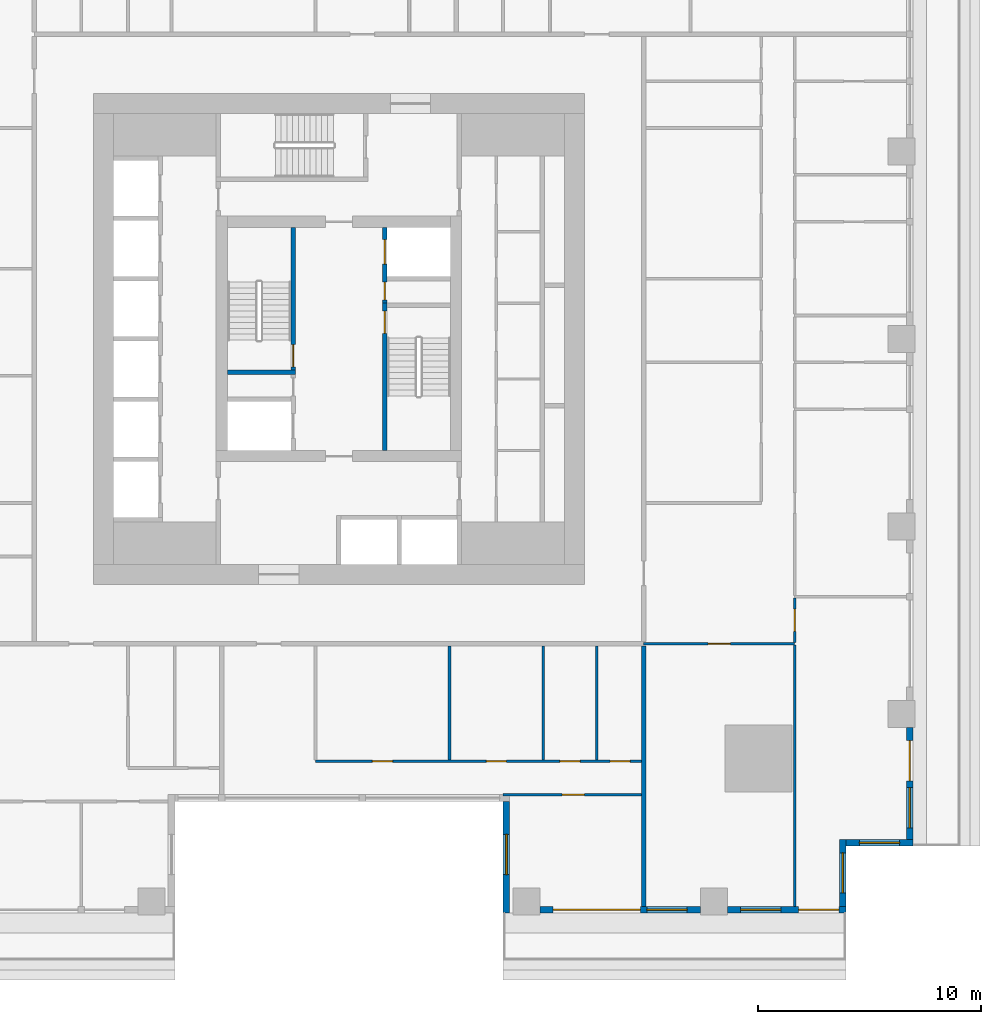
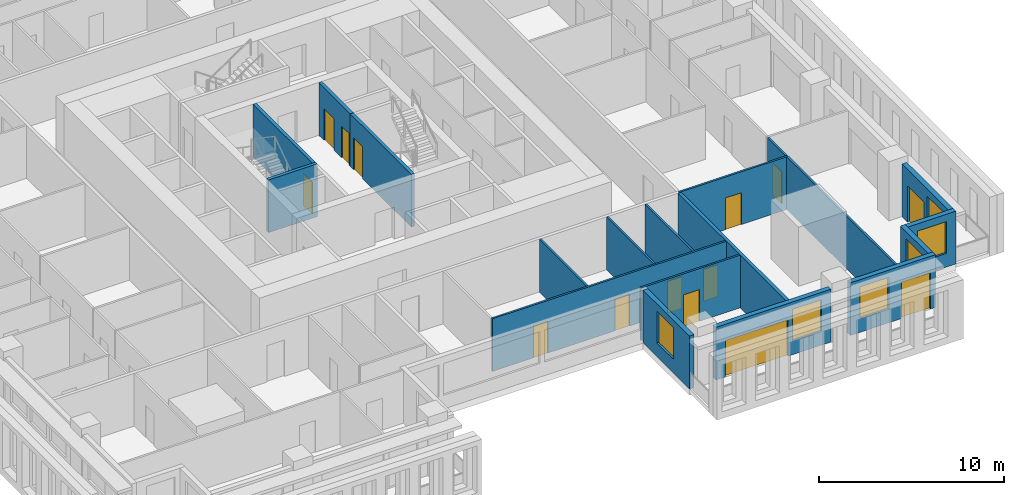
# One storey, part 4 of 15: 19 walls, 14 doors, 6 windows, 20 openings.
"""IFC4 building model written with IfcOpenShell, lengths in metres."""

from ifc_helpers import new_model, si_unit, direction, frame, frame_2d, origin, place, context, subcontext, project, spatial, rectangle, extrude, material, layer, layer_set, type_object, element, fill, save


model = new_model("IFC4")

# Units and contexts
model_context = context("Model", 3, precision=1e-05, world=origin(), true_north=direction((0.0, 1.0)))
body_context = subcontext(model_context, "Body", "Model", "MODEL_VIEW")
ifc_project = project(units=[si_unit("LENGTHUNIT", "METRE"), si_unit("AREAUNIT", "SQUARE_METRE"), si_unit("VOLUMEUNIT", "CUBIC_METRE"), si_unit("PLANEANGLEUNIT", "RADIAN"), si_unit("MASSUNIT", "GRAM", prefix="KILO")], contexts=[model_context])

# Site, building, storey
site_placement = place(None, origin())
site = spatial("IfcSite", under=ifc_project, at=site_placement, CompositionType="ELEMENT")
building_placement = place(site_placement, origin())
building = spatial("IfcBuilding", under=site, at=building_placement, Name="Khepri Terraces", CompositionType="ELEMENT")
storey_placement = place(building_placement, frame((0.0, 0.0, 46.5)))
storey = spatial("IfcBuildingStorey", under=building, at=storey_placement, Name="L10", CompositionType="ELEMENT", Elevation=46.5)

# Wall, opening, door
ifc_material_1 = material(Name="Concrete C80/95", Category="concrete")
ifc_layer_1 = layer(ifc_material_1, 0.199951171875, Name="Concrete C80/95", Category="concrete")
ifc_layer_set_1 = layer_set([ifc_layer_1], Name="Concrete C80/95")
wall_type_1 = type_object("IfcWallType", Name="Core wall 200 C80/95", PredefinedType="SHEAR", material=ifc_layer_set_1)
wall_1_placement = place(storey_placement, frame((2.050048828125, -5.0, 0.0), z_axis=(0.0, 0.0, 1.0), x_axis=(0.0, 1.0, 0.0)))
wall_1 = element("IfcWall", 1, at=wall_1_placement, inside=storey, type_object=wall_type_1, Name="Core wall ST01 L10", PredefinedType="SHEAR", context=body_context, shape_type="SweptSolid", body=[
    extrude(rectangle(XDim=6.60009765625, YDim=0.199951171875, at=frame_2d((3.300048828125, 0.0))), origin(), (0.0, 0.0, 1.0), 3.47998046875),
])
opening_1_placement = place(wall_1_placement, frame((5.25, 0.0, 0.0)))
opening_1 = element("IfcOpeningElement", 2, at=opening_1_placement, cuts=wall_1, Name="Opening L10-C10", PredefinedType="OPENING", context=body_context, shape_type="SweptSolid", body=[
    extrude(rectangle(XDim=1.0, YDim=2.10009765625, at=frame_2d((0.5, 1.050048828125))), frame((0.0, 0.10986328125, 0.0), z_axis=(0.0, -1.0, 0.0), x_axis=(1.0, 0.0, 0.0)), (0.0, 0.0, 1.0), 0.219970703125),
])
ifc_material_2 = material(Name="Painted steel", Category="steel")
door_type_1 = type_object("IfcDoorType", Name="DR-CORE-STAIR-1000", OperationType="NOTDEFINED", PredefinedType="DOOR", material=ifc_material_2)
door_1_placement = place(opening_1_placement, frame((1.0, 0.0, 0.0), z_axis=(0.0, 0.0, 1.0), x_axis=(-1.0, 0.0, 0.0)))
door_1 = element("IfcDoor", 3, at=door_1_placement, inside=storey, type_object=door_type_1, Name="Stair door L10-C10", OperationType="SINGLE_SWING_LEFT", OverallHeight=2.10009765625, OverallWidth=1.0, PredefinedType="DOOR", context=body_context, shape_type="SweptSolid", body=[
    extrude(rectangle(XDim=1.0, YDim=2.10009765625, at=frame_2d((0.5, 1.050048828125))), frame((0.0, 0.02490234375, 0.0), z_axis=(0.0, -1.0, 0.0), x_axis=(1.0, 0.0, 0.0)), (0.0, 0.0, 1.0), 0.050048828125),
])
fill(opening_1, door_1)

# Wall
wall_2_placement = place(storey_placement, frame((-5.0, -1.5, 0.0), z_axis=(0.0, 0.0, 1.0), x_axis=(1.0, 0.0, 0.0)))
element("IfcWall", 4, at=wall_2_placement, inside=storey, type_object=wall_type_1, Name="Core wall ST02 L10", PredefinedType="SHEAR", context=body_context, shape_type="SweptSolid", body=[
    extrude(rectangle(XDim=3.050048828125, YDim=0.199951171875, at=frame_2d((1.52490234375, 0.0))), origin(), (0.0, 0.0, 1.0), 3.47998046875),
])

# Wall, opening, door
wall_3_placement = place(storey_placement, frame((-2.050048828125, -1.39990234375, 0.0), z_axis=(0.0, 0.0, 1.0), x_axis=(0.0, 1.0, 0.0)))
wall_3 = element("IfcWall", 5, at=wall_3_placement, inside=storey, type_object=wall_type_1, Name="Core wall ST03 L10", PredefinedType="SHEAR", context=body_context, shape_type="SweptSolid", body=[
    extrude(rectangle(XDim=6.39990234375, YDim=0.199951171875, at=frame_2d((3.199951171875, 0.0))), origin(), (0.0, 0.0, 1.0), 3.47998046875),
])
opening_2_placement = place(wall_3_placement, frame((0.14990234375, 0.0, 0.0)))
opening_2 = element("IfcOpeningElement", 6, at=opening_2_placement, cuts=wall_3, Name="Opening L10-C09", PredefinedType="OPENING", context=body_context, shape_type="SweptSolid", body=[
    extrude(rectangle(XDim=1.0, YDim=2.10009765625, at=frame_2d((0.5, 1.050048828125))), frame((0.0, 0.10986328125, 0.0), z_axis=(0.0, -1.0, 0.0), x_axis=(1.0, 0.0, 0.0)), (0.0, 0.0, 1.0), 0.219970703125),
])
door_2_placement = place(opening_2_placement, origin())
door_2 = element("IfcDoor", 7, at=door_2_placement, inside=storey, type_object=door_type_1, Name="Stair door L10-C09", OperationType="SINGLE_SWING_LEFT", OverallHeight=2.10009765625, OverallWidth=1.0, PredefinedType="DOOR", context=body_context, shape_type="SweptSolid", body=[
    extrude(rectangle(XDim=1.0, YDim=2.10009765625, at=frame_2d((0.5, 1.050048828125))), frame((0.0, 0.02490234375, 0.0), z_axis=(0.0, -1.0, 0.0), x_axis=(1.0, 0.0, 0.0)), (0.0, 0.0, 1.0), 0.050048828125),
])
fill(opening_2, door_2)

# Wall, openings, doors
wall_4_placement = place(storey_placement, frame((2.050048828125, 1.60009765625, 0.0), z_axis=(0.0, 0.0, 1.0), x_axis=(0.0, 1.0, 0.0)))
wall_4 = element("IfcWall", 8, at=wall_4_placement, inside=storey, type_object=wall_type_1, Name="Core wall SH15 L10", PredefinedType="SHEAR", context=body_context, shape_type="SweptSolid", body=[
    extrude(rectangle(XDim=3.39990234375, YDim=0.199951171875, at=frame_2d((1.699951171875, 0.0))), origin(), (0.0, 0.0, 1.0), 3.47998046875),
])
opening_3_placement = place(wall_4_placement, frame((1.75, 0.0, 0.0)))
opening_3 = element("IfcOpeningElement", 9, at=opening_3_placement, cuts=wall_4, Name="Opening L10-C07", PredefinedType="OPENING", context=body_context, shape_type="SweptSolid", body=[
    extrude(rectangle(XDim=1.10009765625, YDim=2.10009765625, at=frame_2d((0.550048828125, 1.050048828125))), frame((0.0, 0.10986328125, 0.0), z_axis=(0.0, -1.0, 0.0), x_axis=(1.0, 0.0, 0.0)), (0.0, 0.0, 1.0), 0.219970703125),
])
opening_4_placement = place(wall_4_placement, frame((0.14990234375, 0.0, 0.0)))
opening_4 = element("IfcOpeningElement", 10, at=opening_4_placement, cuts=wall_4, Name="Opening L10-C11", PredefinedType="OPENING", context=body_context, shape_type="SweptSolid", body=[
    extrude(rectangle(XDim=0.800048828125, YDim=2.10009765625, at=frame_2d((0.39990234375, 1.050048828125))), frame((0.0, 0.10986328125, 0.0), z_axis=(0.0, -1.0, 0.0), x_axis=(1.0, 0.0, 0.0)), (0.0, 0.0, 1.0), 0.219970703125),
])
ifc_material_3 = material(Name="Stainless steel 304", Category="steel")
door_type_2 = type_object("IfcDoorType", Name="DR-CORE-FF-LANDING-1100", OperationType="NOTDEFINED", PredefinedType="DOOR", material=ifc_material_3)
door_3_placement = place(opening_3_placement, origin())
door_3 = element("IfcDoor", 11, at=door_3_placement, inside=storey, type_object=door_type_2, Name="Firefighting lift landing door L10-C07", OperationType="SLIDING_TO_LEFT", OverallHeight=2.10009765625, OverallWidth=1.10009765625, PredefinedType="DOOR", context=body_context, shape_type="SweptSolid", body=[
    extrude(rectangle(XDim=1.10009765625, YDim=2.10009765625, at=frame_2d((0.550048828125, 1.050048828125))), frame((0.0, 0.02490234375, 0.0), z_axis=(0.0, -1.0, 0.0), x_axis=(1.0, 0.0, 0.0)), (0.0, 0.0, 1.0), 0.050048828125),
])
fill(opening_3, door_3)
door_type_3 = type_object("IfcDoorType", Name="DR-CORE-RISER-800", OperationType="NOTDEFINED", PredefinedType="DOOR", material=ifc_material_2)
door_4_placement = place(opening_4_placement, frame((0.800048828125, 0.0, 0.0), z_axis=(0.0, 0.0, 1.0), x_axis=(-1.0, 0.0, 0.0)))
door_4 = element("IfcDoor", 12, at=door_4_placement, inside=storey, type_object=door_type_3, Name="Riser door L10-C11", OperationType="SINGLE_SWING_RIGHT", OverallHeight=2.10009765625, OverallWidth=0.800048828125, PredefinedType="DOOR", context=body_context, shape_type="SweptSolid", body=[
    extrude(rectangle(XDim=0.800048828125, YDim=2.10009765625, at=frame_2d((0.39990234375, 1.050048828125))), frame((0.0, 0.02490234375, 0.0), z_axis=(0.0, -1.0, 0.0), x_axis=(1.0, 0.0, 0.0)), (0.0, 0.0, 1.0), 0.050048828125),
])
fill(opening_4, door_4)

# Wall
ifc_material_4 = material(Name="Fire-rated gypsum plasterboard partition, mineral wool")
ifc_layer_2 = layer(ifc_material_4, 0.199951171875, Name="Fire-rated gypsum plasterboard partition, mineral wool")
ifc_layer_set_2 = layer_set([ifc_layer_2], Name="Fire-rated gypsum plasterboard partition, mineral wool")
wall_type_2 = type_object("IfcWallType", Name="WL-CORR-200", PredefinedType="PARTITIONING", material=ifc_layer_set_2)
wall_5_placement = place(storey_placement, frame((13.64990234375, -25.419921875, 0.0), z_axis=(0.0, 0.0, 1.0), x_axis=(0.0, 1.0, 0.0)))
element("IfcWall", 13, at=wall_5_placement, inside=storey, type_object=wall_type_2, Name="Partition P-002 L10", PredefinedType="PARTITIONING", context=body_context, shape_type="SweptSolid", body=[
    extrude(rectangle(XDim=11.669921875, YDim=0.199951171875, at=frame_2d((5.8349609375, 0.0))), origin(), (0.0, 0.0, 1.0), 3.47998046875),
])

# Wall, opening, window
ifc_material_5 = material(Name="Precast concrete C50/60 warm stone", Category="masonry")
ifc_layer_3 = layer(ifc_material_5, 0.300048828125, Name="Precast concrete C50/60 warm stone", Category="masonry")
ifc_layer_set_3 = layer_set([ifc_layer_3], Name="Precast concrete C50/60 warm stone")
wall_type_3 = type_object("IfcWallType", Name="WL-EXT-PRECAST-300", PredefinedType="STANDARD", material=ifc_layer_set_3)
wall_6_placement = place(storey_placement, frame((22.719970703125, -22.570068359375, 0.0), z_axis=(0.0, 0.0, 1.0), x_axis=(1.0, 0.0, 0.0)))
wall_6 = element("IfcWall", 14, at=wall_6_placement, inside=storey, type_object=wall_type_3, Name="External wall L10 S", PredefinedType="STANDARD", context=body_context, shape_type="SweptSolid", body=[
    extrude(rectangle(XDim=3.0, YDim=0.300048828125, at=frame_2d((1.5, 0.0))), origin(), (0.0, 0.0, 1.0), 3.47998046875),
])
opening_5_placement = place(wall_6_placement, frame((0.60009765625, 0.0, 0.89990234375)))
opening_5 = element("IfcOpeningElement", 15, at=opening_5_placement, cuts=wall_6, Name="Opening W1", PredefinedType="OPENING", context=body_context, shape_type="SweptSolid", body=[
    extrude(rectangle(XDim=1.800048828125, YDim=2.10009765625, at=frame_2d((0.89990234375, 1.050048828125))), frame((0.0, 0.16015625, 0.0), z_axis=(0.0, -1.0, 0.0), x_axis=(1.0, 0.0, 0.0)), (0.0, 0.0, 1.0), 0.320068359375),
])
ifc_material_6 = material(Name="Clear glass", Category="glass")
window_type = type_object("IfcWindowType", Name="WIN-RES-1800x2100", PartitioningType="SINGLE_PANEL", PredefinedType="WINDOW", material=ifc_material_6)
window_1_placement = place(opening_5_placement, origin())
window_1 = element("IfcWindow", 16, at=window_1_placement, inside=storey, type_object=window_type, Name="Window L10 S", OverallHeight=2.10009765625, OverallWidth=1.800048828125, PartitioningType="SINGLE_PANEL", PredefinedType="WINDOW", context=body_context, shape_type="SweptSolid", body=[
    extrude(rectangle(XDim=1.800048828125, YDim=2.10009765625, at=frame_2d((0.89990234375, 1.050048828125))), frame((0.0, 0.030029296875, 0.0), z_axis=(0.0, -1.0, 0.0), x_axis=(1.0, 0.0, 0.0)), (0.0, 0.0, 1.0), 0.06005859375),
])
fill(opening_5, window_1)

# Wall, openings, door, window
wall_7_placement = place(storey_placement, frame((25.570068359375, -22.419921875, 0.0), z_axis=(0.0, 0.0, 1.0), x_axis=(0.0, 1.0, 0.0)))
wall_7 = element("IfcWall", 17, at=wall_7_placement, inside=storey, type_object=wall_type_3, Name="External wall L10 E", PredefinedType="STANDARD", context=body_context, shape_type="SweptSolid", body=[
    extrude(rectangle(XDim=5.02001953125, YDim=0.300048828125, at=frame_2d((2.510009765625, 0.0))), origin(), (0.0, 0.0, 1.0), 3.47998046875),
])
opening_6_placement = place(wall_7_placement, frame((0.52001953125, 0.0, 0.89990234375)))
opening_6 = element("IfcOpeningElement", 18, at=opening_6_placement, cuts=wall_7, Name="Opening W1", PredefinedType="OPENING", context=body_context, shape_type="SweptSolid", body=[
    extrude(rectangle(XDim=1.800048828125, YDim=2.10009765625, at=frame_2d((0.89990234375, 1.050048828125))), frame((0.0, 0.16015625, 0.0), z_axis=(0.0, -1.0, 0.0), x_axis=(1.0, 0.0, 0.0)), (0.0, 0.0, 1.0), 0.320068359375),
])
opening_7_placement = place(wall_7_placement, frame((2.6201171875, 0.0, 0.0)))
opening_7 = element("IfcOpeningElement", 19, at=opening_7_placement, cuts=wall_7, Name="Opening ED-L10-01", PredefinedType="OPENING", context=body_context, shape_type="SweptSolid", body=[
    extrude(rectangle(XDim=1.800048828125, YDim=2.39990234375, at=frame_2d((0.89990234375, 1.199951171875))), frame((0.0, 0.16015625, 0.0), z_axis=(0.0, -1.0, 0.0), x_axis=(1.0, 0.0, 0.0)), (0.0, 0.0, 1.0), 0.320068359375),
])
ifc_material_7 = material(Name="Anodised aluminium bronze glazed door", Category="aluminium")
door_type_4 = type_object("IfcDoorType", Name="DR-BAL-SLIDE-1800x2400", OperationType="NOTDEFINED", PredefinedType="DOOR", material=ifc_material_7)
door_5_placement = place(opening_7_placement, origin())
door_5 = element("IfcDoor", 20, at=door_5_placement, inside=storey, type_object=door_type_4, Name="Balcony door L10 E", OperationType="SLIDING_TO_RIGHT", OverallHeight=2.39990234375, OverallWidth=1.800048828125, PredefinedType="DOOR", context=body_context, shape_type="SweptSolid", body=[
    extrude(rectangle(XDim=1.800048828125, YDim=2.39990234375, at=frame_2d((0.89990234375, 1.199951171875))), frame((0.0, 0.02490234375, 0.0), z_axis=(0.0, -1.0, 0.0), x_axis=(1.0, 0.0, 0.0)), (0.0, 0.0, 1.0), 0.050048828125),
])
fill(opening_7, door_5)
window_2_placement = place(opening_6_placement, origin())
window_2 = element("IfcWindow", 21, at=window_2_placement, inside=storey, type_object=window_type, Name="Window L10 E", OverallHeight=2.10009765625, OverallWidth=1.800048828125, PartitioningType="SINGLE_PANEL", PredefinedType="WINDOW", context=body_context, shape_type="SweptSolid", body=[
    extrude(rectangle(XDim=1.800048828125, YDim=2.10009765625, at=frame_2d((0.89990234375, 1.050048828125))), frame((0.0, 0.030029296875, 0.0), z_axis=(0.0, -1.0, 0.0), x_axis=(1.0, 0.0, 0.0)), (0.0, 0.0, 1.0), 0.06005859375),
])
fill(opening_6, window_2)

# Wall, opening, window
wall_8_placement = place(storey_placement, frame((7.5, -20.719970703125, 0.0), z_axis=(0.0, 0.0, 1.0), x_axis=(0.0, -1.0, 0.0)))
wall_8 = element("IfcWall", 22, at=wall_8_placement, inside=storey, type_object=wall_type_3, Name="External wall L10 W", PredefinedType="STANDARD", context=body_context, shape_type="SweptSolid", body=[
    extrude(rectangle(XDim=5.0, YDim=0.300048828125, at=frame_2d((2.5, 0.0))), origin(), (0.0, 0.0, 1.0), 3.47998046875),
])
opening_8_placement = place(wall_8_placement, frame((1.47998046875, 0.0, 0.89990234375)))
opening_8 = element("IfcOpeningElement", 23, at=opening_8_placement, cuts=wall_8, Name="Opening W1", PredefinedType="OPENING", context=body_context, shape_type="SweptSolid", body=[
    extrude(rectangle(XDim=1.800048828125, YDim=2.10009765625, at=frame_2d((0.89990234375, 1.050048828125))), frame((0.0, 0.16015625, 0.0), z_axis=(0.0, -1.0, 0.0), x_axis=(1.0, 0.0, 0.0)), (0.0, 0.0, 1.0), 0.320068359375),
])
window_3_placement = place(opening_8_placement, origin())
window_3 = element("IfcWindow", 24, at=window_3_placement, inside=storey, type_object=window_type, Name="Window L10 W", OverallHeight=2.10009765625, OverallWidth=1.800048828125, PartitioningType="SINGLE_PANEL", PredefinedType="WINDOW", context=body_context, shape_type="SweptSolid", body=[
    extrude(rectangle(XDim=1.800048828125, YDim=2.10009765625, at=frame_2d((0.89990234375, 1.050048828125))), frame((0.0, 0.030029296875, 0.0), z_axis=(0.0, -1.0, 0.0), x_axis=(1.0, 0.0, 0.0)), (0.0, 0.0, 1.0), 0.06005859375),
])
fill(opening_8, window_3)

# Wall, openings, door, window
wall_9_placement = place(storey_placement, frame((9.0, -25.570068359375, 0.0), z_axis=(0.0, 0.0, 1.0), x_axis=(1.0, 0.0, 0.0)))
wall_9 = element("IfcWall", 25, at=wall_9_placement, inside=storey, type_object=wall_type_3, Name="External wall L10 S", PredefinedType="STANDARD", context=body_context, shape_type="SweptSolid", body=[
    extrude(rectangle(XDim=7.199951171875, YDim=0.300048828125, at=frame_2d((3.60009765625, 0.0))), origin(), (0.0, 0.0, 1.0), 3.47998046875),
])
opening_9_placement = place(wall_9_placement, frame((0.60009765625, 0.0, 0.0)))
opening_9 = element("IfcOpeningElement", 26, at=opening_9_placement, cuts=wall_9, Name="Opening ED-L10-22", PredefinedType="OPENING", context=body_context, shape_type="SweptSolid", body=[
    extrude(rectangle(XDim=3.89990234375, YDim=2.39990234375, at=frame_2d((1.949951171875, 1.199951171875))), frame((0.0, 0.16015625, 0.0), z_axis=(0.0, -1.0, 0.0), x_axis=(1.0, 0.0, 0.0)), (0.0, 0.0, 1.0), 0.320068359375),
])
opening_10_placement = place(wall_9_placement, frame((4.800048828125, 0.0, 0.89990234375)))
opening_10 = element("IfcOpeningElement", 27, at=opening_10_placement, cuts=wall_9, Name="Opening W1", PredefinedType="OPENING", context=body_context, shape_type="SweptSolid", body=[
    extrude(rectangle(XDim=1.800048828125, YDim=2.10009765625, at=frame_2d((0.89990234375, 1.050048828125))), frame((0.0, 0.16015625, 0.0), z_axis=(0.0, -1.0, 0.0), x_axis=(1.0, 0.0, 0.0)), (0.0, 0.0, 1.0), 0.320068359375),
])
door_type_5 = type_object("IfcDoorType", Name="DR-BAL-SLIDE-3900x2400", OperationType="NOTDEFINED", PredefinedType="DOOR", material=ifc_material_7)
door_6_placement = place(opening_9_placement, origin())
door_6 = element("IfcDoor", 28, at=door_6_placement, inside=storey, type_object=door_type_5, Name="Balcony door L10 S", OperationType="SLIDING_TO_LEFT", OverallHeight=2.39990234375, OverallWidth=3.89990234375, PredefinedType="DOOR", context=body_context, shape_type="SweptSolid", body=[
    extrude(rectangle(XDim=3.89990234375, YDim=2.39990234375, at=frame_2d((1.949951171875, 1.199951171875))), frame((0.0, 0.02490234375, 0.0), z_axis=(0.0, -1.0, 0.0), x_axis=(1.0, 0.0, 0.0)), (0.0, 0.0, 1.0), 0.050048828125),
])
fill(opening_9, door_6)
window_4_placement = place(opening_10_placement, origin())
window_4 = element("IfcWindow", 29, at=window_4_placement, inside=storey, type_object=window_type, Name="Window L10 S", OverallHeight=2.10009765625, OverallWidth=1.800048828125, PartitioningType="SINGLE_PANEL", PredefinedType="WINDOW", context=body_context, shape_type="SweptSolid", body=[
    extrude(rectangle(XDim=1.800048828125, YDim=2.10009765625, at=frame_2d((0.89990234375, 1.050048828125))), frame((0.0, 0.030029296875, 0.0), z_axis=(0.0, -1.0, 0.0), x_axis=(1.0, 0.0, 0.0)), (0.0, 0.0, 1.0), 0.06005859375),
])
fill(opening_10, window_4)

wall_10_placement = place(storey_placement, frame((17.39990234375, -25.570068359375, 0.0), z_axis=(0.0, 0.0, 1.0), x_axis=(1.0, 0.0, 0.0)))
wall_10 = element("IfcWall", 30, at=wall_10_placement, inside=storey, type_object=wall_type_3, Name="External wall L10 S", PredefinedType="STANDARD", context=body_context, shape_type="SweptSolid", body=[
    extrude(rectangle(XDim=5.320068359375, YDim=0.300048828125, at=frame_2d((2.66015625, 0.0))), origin(), (0.0, 0.0, 1.0), 3.47998046875),
])
opening_11_placement = place(wall_10_placement, frame((0.60009765625, 0.0, 0.89990234375)))
opening_11 = element("IfcOpeningElement", 31, at=opening_11_placement, cuts=wall_10, Name="Opening W1", PredefinedType="OPENING", context=body_context, shape_type="SweptSolid", body=[
    extrude(rectangle(XDim=1.800048828125, YDim=2.10009765625, at=frame_2d((0.89990234375, 1.050048828125))), frame((0.0, 0.16015625, 0.0), z_axis=(0.0, -1.0, 0.0), x_axis=(1.0, 0.0, 0.0)), (0.0, 0.0, 1.0), 0.320068359375),
])
opening_12_placement = place(wall_10_placement, frame((3.195068359375, 0.0, 0.0)))
opening_12 = element("IfcOpeningElement", 32, at=opening_12_placement, cuts=wall_10, Name="Opening ED-L10-23", PredefinedType="OPENING", context=body_context, shape_type="SweptSolid", body=[
    extrude(rectangle(XDim=1.800048828125, YDim=2.39990234375, at=frame_2d((0.89990234375, 1.199951171875))), frame((0.0, 0.16015625, 0.0), z_axis=(0.0, -1.0, 0.0), x_axis=(1.0, 0.0, 0.0)), (0.0, 0.0, 1.0), 0.320068359375),
])
door_7_placement = place(opening_12_placement, origin())
door_7 = element("IfcDoor", 33, at=door_7_placement, inside=storey, type_object=door_type_4, Name="Balcony door L10 S", OperationType="SLIDING_TO_RIGHT", OverallHeight=2.39990234375, OverallWidth=1.800048828125, PredefinedType="DOOR", context=body_context, shape_type="SweptSolid", body=[
    extrude(rectangle(XDim=1.800048828125, YDim=2.39990234375, at=frame_2d((0.89990234375, 1.199951171875))), frame((0.0, 0.02490234375, 0.0), z_axis=(0.0, -1.0, 0.0), x_axis=(1.0, 0.0, 0.0)), (0.0, 0.0, 1.0), 0.050048828125),
])
fill(opening_12, door_7)
window_5_placement = place(opening_11_placement, origin())
window_5 = element("IfcWindow", 34, at=window_5_placement, inside=storey, type_object=window_type, Name="Window L10 S", OverallHeight=2.10009765625, OverallWidth=1.800048828125, PartitioningType="SINGLE_PANEL", PredefinedType="WINDOW", context=body_context, shape_type="SweptSolid", body=[
    extrude(rectangle(XDim=1.800048828125, YDim=2.10009765625, at=frame_2d((0.89990234375, 1.050048828125))), frame((0.0, 0.030029296875, 0.0), z_axis=(0.0, -1.0, 0.0), x_axis=(1.0, 0.0, 0.0)), (0.0, 0.0, 1.0), 0.06005859375),
])
fill(opening_11, window_5)

# Wall, opening, window
wall_11_placement = place(storey_placement, frame((22.570068359375, -25.419921875, 0.0), z_axis=(0.0, 0.0, 1.0), x_axis=(0.0, 1.0, 0.0)))
wall_11 = element("IfcWall", 35, at=wall_11_placement, inside=storey, type_object=wall_type_3, Name="External wall L10 E", PredefinedType="STANDARD", context=body_context, shape_type="SweptSolid", body=[
    extrude(rectangle(XDim=3.0, YDim=0.300048828125, at=frame_2d((1.5, 0.0))), origin(), (0.0, 0.0, 1.0), 3.47998046875),
])
opening_13_placement = place(wall_11_placement, frame((0.60009765625, 0.0, 0.89990234375)))
opening_13 = element("IfcOpeningElement", 36, at=opening_13_placement, cuts=wall_11, Name="Opening W1", PredefinedType="OPENING", context=body_context, shape_type="SweptSolid", body=[
    extrude(rectangle(XDim=1.800048828125, YDim=2.10009765625, at=frame_2d((0.89990234375, 1.050048828125))), frame((0.0, 0.16015625, 0.0), z_axis=(0.0, -1.0, 0.0), x_axis=(1.0, 0.0, 0.0)), (0.0, 0.0, 1.0), 0.320068359375),
])
window_6_placement = place(opening_13_placement, origin())
window_6 = element("IfcWindow", 37, at=window_6_placement, inside=storey, type_object=window_type, Name="Window L10 E", OverallHeight=2.10009765625, OverallWidth=1.800048828125, PartitioningType="SINGLE_PANEL", PredefinedType="WINDOW", context=body_context, shape_type="SweptSolid", body=[
    extrude(rectangle(XDim=1.800048828125, YDim=2.10009765625, at=frame_2d((0.89990234375, 1.050048828125))), frame((0.0, 0.030029296875, 0.0), z_axis=(0.0, -1.0, 0.0), x_axis=(1.0, 0.0, 0.0)), (0.0, 0.0, 1.0), 0.06005859375),
])
fill(opening_13, window_6)

# Wall
ifc_material_8 = material(Name="Gypsum plasterboard partition")
ifc_layer_4 = layer(ifc_material_8, 0.1201171875, Name="Gypsum plasterboard partition")
ifc_layer_set_4 = layer_set([ifc_layer_4], Name="Gypsum plasterboard partition")
wall_type_4 = type_object("IfcWallType", Name="WL-PART-120", PredefinedType="PARTITIONING", material=ifc_layer_set_4)
wall_12_placement = place(storey_placement, frame((20.419921875, -25.419921875, 0.0), z_axis=(0.0, 0.0, 1.0), x_axis=(0.0, 1.0, 0.0)))
element("IfcWall", 38, at=wall_12_placement, inside=storey, type_object=wall_type_4, Name="Partition P-003 L10", PredefinedType="PARTITIONING", context=body_context, shape_type="SweptSolid", body=[
    extrude(rectangle(XDim=11.7099609375, YDim=0.1201171875, at=frame_2d((5.85498046875, 0.0))), origin(), (0.0, 0.0, 1.0), 3.47998046875),
])

# Wall, opening, door
wall_13_placement = place(storey_placement, frame((7.35009765625, -20.419921875, 0.0), z_axis=(0.0, 0.0, 1.0), x_axis=(1.0, 0.0, 0.0)))
wall_13 = element("IfcWall", 39, at=wall_13_placement, inside=storey, type_object=wall_type_4, Name="Partition P-009 L10", PredefinedType="PARTITIONING", context=body_context, shape_type="SweptSolid", body=[
    extrude(rectangle(XDim=6.199951171875, YDim=0.1201171875, at=frame_2d((3.10009765625, 0.0))), origin(), (0.0, 0.0, 1.0), 3.47998046875),
])
opening_14_placement = place(wall_13_placement, frame((2.64990234375, 0.0, 0.0)))
opening_14 = element("IfcOpeningElement", 40, at=opening_14_placement, cuts=wall_13, Name="Opening D2", PredefinedType="OPENING", context=body_context, shape_type="SweptSolid", body=[
    extrude(rectangle(XDim=1.0, YDim=2.10009765625, at=frame_2d((0.5, 1.050048828125))), frame((0.0, 0.070068359375, 0.0), z_axis=(0.0, -1.0, 0.0), x_axis=(1.0, 0.0, 0.0)), (0.0, 0.0, 1.0), 0.14013671875),
])
ifc_material_9 = material(Name="Timber door leaf, living room door", Category="wood")
door_type_6 = type_object("IfcDoorType", Name="DR-INT-1000", OperationType="NOTDEFINED", PredefinedType="DOOR", material=ifc_material_9)
door_8_placement = place(opening_14_placement, frame((1.0, 0.0, 0.0), z_axis=(0.0, 0.0, 1.0), x_axis=(-1.0, 0.0, 0.0)))
door_8 = element("IfcDoor", 41, at=door_8_placement, inside=storey, type_object=door_type_6, Name="Door Living Room", OperationType="SINGLE_SWING_LEFT", OverallHeight=2.10009765625, OverallWidth=1.0, PredefinedType="DOOR", context=body_context, shape_type="SweptSolid", body=[
    extrude(rectangle(XDim=1.0, YDim=2.10009765625, at=frame_2d((0.5, 1.050048828125))), frame((0.0, 0.02490234375, 0.0), z_axis=(0.0, -1.0, 0.0), x_axis=(1.0, 0.0, 0.0)), (0.0, 0.0, 1.0), 0.050048828125),
])
fill(opening_14, door_8)

# Wall, openings, doors
wall_14_placement = place(storey_placement, frame((-1.050048828125, -18.919921875, 0.0), z_axis=(0.0, 0.0, 1.0), x_axis=(1.0, 0.0, 0.0)))
wall_14 = element("IfcWall", 42, at=wall_14_placement, inside=storey, type_object=wall_type_4, Name="Partition P-013 L10", PredefinedType="PARTITIONING", context=body_context, shape_type="SweptSolid", body=[
    extrude(rectangle(XDim=14.60009765625, YDim=0.1201171875, at=frame_2d((7.300048828125, 0.0))), origin(), (0.0, 0.0, 1.0), 3.47998046875),
])
opening_15_placement = place(wall_14_placement, frame((2.550048828125, 0.0, 0.0)))
opening_15 = element("IfcOpeningElement", 43, at=opening_15_placement, cuts=wall_14, Name="Opening D3", PredefinedType="OPENING", context=body_context, shape_type="SweptSolid", body=[
    extrude(rectangle(XDim=0.89990234375, YDim=2.10009765625, at=frame_2d((0.449951171875, 1.050048828125))), frame((0.0, 0.070068359375, 0.0), z_axis=(0.0, -1.0, 0.0), x_axis=(1.0, 0.0, 0.0)), (0.0, 0.0, 1.0), 0.14013671875),
])
opening_16_placement = place(wall_14_placement, frame((7.64990234375, 0.0, 0.0)))
opening_16 = element("IfcOpeningElement", 44, at=opening_16_placement, cuts=wall_14, Name="Opening D3", PredefinedType="OPENING", context=body_context, shape_type="SweptSolid", body=[
    extrude(rectangle(XDim=0.89990234375, YDim=2.10009765625, at=frame_2d((0.449951171875, 1.050048828125))), frame((0.0, 0.070068359375, 0.0), z_axis=(0.0, -1.0, 0.0), x_axis=(1.0, 0.0, 0.0)), (0.0, 0.0, 1.0), 0.14013671875),
])
opening_17_placement = place(wall_14_placement, frame((10.949951171875, 0.0, 0.0)))
opening_17 = element("IfcOpeningElement", 45, at=opening_17_placement, cuts=wall_14, Name="Opening D4", PredefinedType="OPENING", context=body_context, shape_type="SweptSolid", body=[
    extrude(rectangle(XDim=0.89990234375, YDim=2.10009765625, at=frame_2d((0.449951171875, 1.050048828125))), frame((0.0, 0.070068359375, 0.0), z_axis=(0.0, -1.0, 0.0), x_axis=(1.0, 0.0, 0.0)), (0.0, 0.0, 1.0), 0.14013671875),
])
opening_18_placement = place(wall_14_placement, frame((13.199951171875, 0.0, 0.0)))
opening_18 = element("IfcOpeningElement", 46, at=opening_18_placement, cuts=wall_14, Name="Opening D4", PredefinedType="OPENING", context=body_context, shape_type="SweptSolid", body=[
    extrude(rectangle(XDim=0.89990234375, YDim=2.10009765625, at=frame_2d((0.449951171875, 1.050048828125))), frame((0.0, 0.070068359375, 0.0), z_axis=(0.0, -1.0, 0.0), x_axis=(1.0, 0.0, 0.0)), (0.0, 0.0, 1.0), 0.14013671875),
])
ifc_material_10 = material(Name="Timber door leaf", Category="wood")
door_type_7 = type_object("IfcDoorType", Name="DR-INT-900", OperationType="NOTDEFINED", PredefinedType="DOOR", material=ifc_material_10)
door_9_placement = place(opening_15_placement, origin())
door_9 = element("IfcDoor", 47, at=door_9_placement, inside=storey, type_object=door_type_7, Name="Door Kitchen", OperationType="SINGLE_SWING_LEFT", OverallHeight=2.10009765625, OverallWidth=0.89990234375, PredefinedType="DOOR", context=body_context, shape_type="SweptSolid", body=[
    extrude(rectangle(XDim=0.89990234375, YDim=2.10009765625, at=frame_2d((0.449951171875, 1.050048828125))), frame((0.0, 0.02490234375, 0.0), z_axis=(0.0, -1.0, 0.0), x_axis=(1.0, 0.0, 0.0)), (0.0, 0.0, 1.0), 0.050048828125),
])
fill(opening_15, door_9)
door_10_placement = place(opening_16_placement, origin())
door_10 = element("IfcDoor", 48, at=door_10_placement, inside=storey, type_object=door_type_7, Name="Door Staff Bedroom", OperationType="SINGLE_SWING_RIGHT", OverallHeight=2.10009765625, OverallWidth=0.89990234375, PredefinedType="DOOR", context=body_context, shape_type="SweptSolid", body=[
    extrude(rectangle(XDim=0.89990234375, YDim=2.10009765625, at=frame_2d((0.449951171875, 1.050048828125))), frame((0.0, 0.02490234375, 0.0), z_axis=(0.0, -1.0, 0.0), x_axis=(1.0, 0.0, 0.0)), (0.0, 0.0, 1.0), 0.050048828125),
])
fill(opening_16, door_10)
ifc_material_11 = material(Name="Timber door leaf, moisture resistant", Category="wood")
door_type_8 = type_object("IfcDoorType", Name="DR-WET-900", OperationType="NOTDEFINED", PredefinedType="DOOR", material=ifc_material_11)
door_11_placement = place(opening_17_placement, origin())
door_11 = element("IfcDoor", 49, at=door_11_placement, inside=storey, type_object=door_type_8, Name="Door Powder Room", OperationType="SINGLE_SWING_RIGHT", OverallHeight=2.10009765625, OverallWidth=0.89990234375, PredefinedType="DOOR", context=body_context, shape_type="SweptSolid", body=[
    extrude(rectangle(XDim=0.89990234375, YDim=2.10009765625, at=frame_2d((0.449951171875, 1.050048828125))), frame((0.0, 0.02490234375, 0.0), z_axis=(0.0, -1.0, 0.0), x_axis=(1.0, 0.0, 0.0)), (0.0, 0.0, 1.0), 0.050048828125),
])
fill(opening_17, door_11)
door_12_placement = place(opening_18_placement, origin())
door_12 = element("IfcDoor", 50, at=door_12_placement, inside=storey, type_object=door_type_8, Name="Door Guest Bathroom", OperationType="SINGLE_SWING_RIGHT", OverallHeight=2.10009765625, OverallWidth=0.89990234375, PredefinedType="DOOR", context=body_context, shape_type="SweptSolid", body=[
    extrude(rectangle(XDim=0.89990234375, YDim=2.10009765625, at=frame_2d((0.449951171875, 1.050048828125))), frame((0.0, 0.02490234375, 0.0), z_axis=(0.0, -1.0, 0.0), x_axis=(1.0, 0.0, 0.0)), (0.0, 0.0, 1.0), 0.050048828125),
])
fill(opening_18, door_12)

# Walls
for number, where, z_axis, x_axis, name in (
    (51, (4.949951171875, -18.860107421875, 0.0), (0.0, 0.0, 1.0), (0.0, 1.0, 0.0), "Partition P-015 L10"),
    (52, (9.14990234375, -18.860107421875, 0.0), (0.0, 0.0, 1.0), (0.0, 1.0, 0.0), "Partition P-016 L10"),
    (53, (11.550048828125, -18.860107421875, 0.0), (0.0, 0.0, 1.0), (0.0, 1.0, 0.0), "Partition P-017 L10"),
):
    element("IfcWall", number, at=place(storey_placement, frame(where, z_axis=z_axis, x_axis=x_axis)), inside=storey, type_object=wall_type_4, Name=name, PredefinedType="PARTITIONING", context=body_context, shape_type="SweptSolid", body=[
        extrude(rectangle(XDim=5.110107421875, YDim=0.1201171875, at=frame_2d((2.55517578125, 0.0))), origin(), (0.0, 0.0, 1.0), 3.47998046875),
    ])

# Wall, opening, door
wall_15_placement = place(storey_placement, frame((13.64990234375, -13.64990234375, 0.0), z_axis=(0.0, 0.0, 1.0), x_axis=(1.0, 0.0, 0.0)))
wall_15 = element("IfcWall", 54, at=wall_15_placement, inside=storey, type_object=wall_type_4, Name="Partition P-019 L10", PredefinedType="PARTITIONING", context=body_context, shape_type="SweptSolid", body=[
    extrude(rectangle(XDim=6.77001953125, YDim=0.1201171875, at=frame_2d((3.385009765625, 0.0))), origin(), (0.0, 0.0, 1.0), 3.47998046875),
])
opening_19_placement = place(wall_15_placement, frame((2.885009765625, 0.0, 0.0)))
opening_19 = element("IfcOpeningElement", 55, at=opening_19_placement, cuts=wall_15, Name="Opening D2", PredefinedType="OPENING", context=body_context, shape_type="SweptSolid", body=[
    extrude(rectangle(XDim=1.0, YDim=2.10009765625, at=frame_2d((0.5, 1.050048828125))), frame((0.0, 0.070068359375, 0.0), z_axis=(0.0, -1.0, 0.0), x_axis=(1.0, 0.0, 0.0)), (0.0, 0.0, 1.0), 0.14013671875),
])
door_13_placement = place(opening_19_placement, frame((1.0, 0.0, 0.0), z_axis=(0.0, 0.0, 1.0), x_axis=(-1.0, 0.0, 0.0)))
door_13 = element("IfcDoor", 56, at=door_13_placement, inside=storey, type_object=door_type_6, Name="Door Family Room", OperationType="SINGLE_SWING_RIGHT", OverallHeight=2.10009765625, OverallWidth=1.0, PredefinedType="DOOR", context=body_context, shape_type="SweptSolid", body=[
    extrude(rectangle(XDim=1.0, YDim=2.10009765625, at=frame_2d((0.5, 1.050048828125))), frame((0.0, 0.02490234375, 0.0), z_axis=(0.0, -1.0, 0.0), x_axis=(1.0, 0.0, 0.0)), (0.0, 0.0, 1.0), 0.050048828125),
])
fill(opening_19, door_13)

wall_16_placement = place(storey_placement, frame((20.419921875, -13.590087890625, 0.0), z_axis=(0.0, 0.0, 1.0), x_axis=(0.0, 1.0, 0.0)))
wall_16 = element("IfcWall", 57, at=wall_16_placement, inside=storey, type_object=wall_type_4, Name="Partition P-020 L10", PredefinedType="PARTITIONING", context=body_context, shape_type="SweptSolid", body=[
    extrude(rectangle(XDim=1.97998046875, YDim=0.1201171875, at=frame_2d((0.989990234375, 0.0))), origin(), (0.0, 0.0, 1.0), 3.47998046875),
])
opening_20_placement = place(wall_16_placement, frame((0.489990234375, 0.0, 0.0)))
opening_20 = element("IfcOpeningElement", 58, at=opening_20_placement, cuts=wall_16, Name="Opening D2", PredefinedType="OPENING", context=body_context, shape_type="SweptSolid", body=[
    extrude(rectangle(XDim=1.0, YDim=2.10009765625, at=frame_2d((0.5, 1.050048828125))), frame((0.0, 0.070068359375, 0.0), z_axis=(0.0, -1.0, 0.0), x_axis=(1.0, 0.0, 0.0)), (0.0, 0.0, 1.0), 0.14013671875),
])
door_14_placement = place(opening_20_placement, frame((1.0, 0.0, 0.0), z_axis=(0.0, 0.0, 1.0), x_axis=(-1.0, 0.0, 0.0)))
door_14 = element("IfcDoor", 59, at=door_14_placement, inside=storey, type_object=door_type_6, Name="Door Living Room", OperationType="SINGLE_SWING_RIGHT", OverallHeight=2.10009765625, OverallWidth=1.0, PredefinedType="DOOR", context=body_context, shape_type="SweptSolid", body=[
    extrude(rectangle(XDim=1.0, YDim=2.10009765625, at=frame_2d((0.5, 1.050048828125))), frame((0.0, 0.02490234375, 0.0), z_axis=(0.0, -1.0, 0.0), x_axis=(1.0, 0.0, 0.0)), (0.0, 0.0, 1.0), 0.050048828125),
])
fill(opening_20, door_14)

save(model, "model.ifc")
